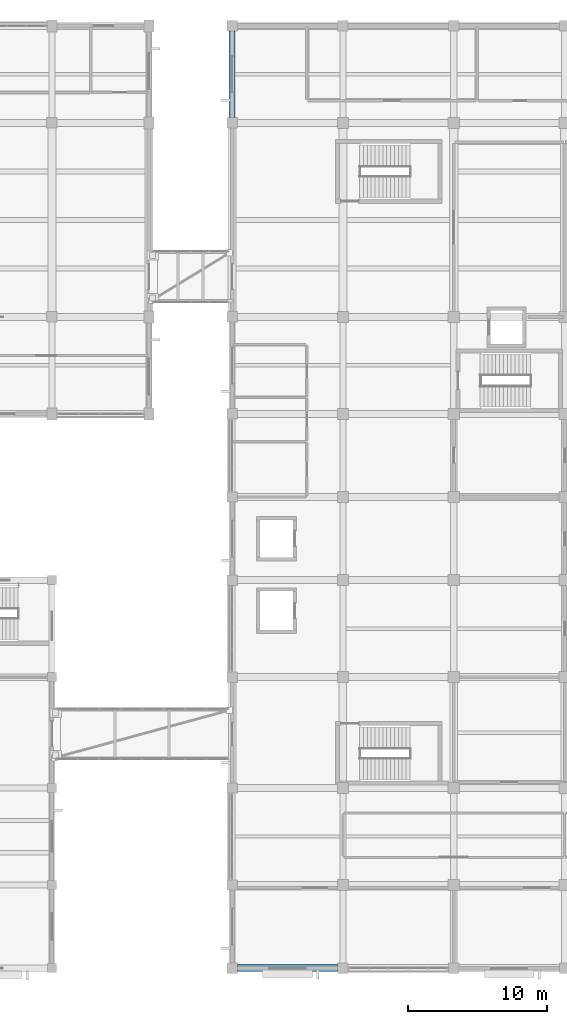
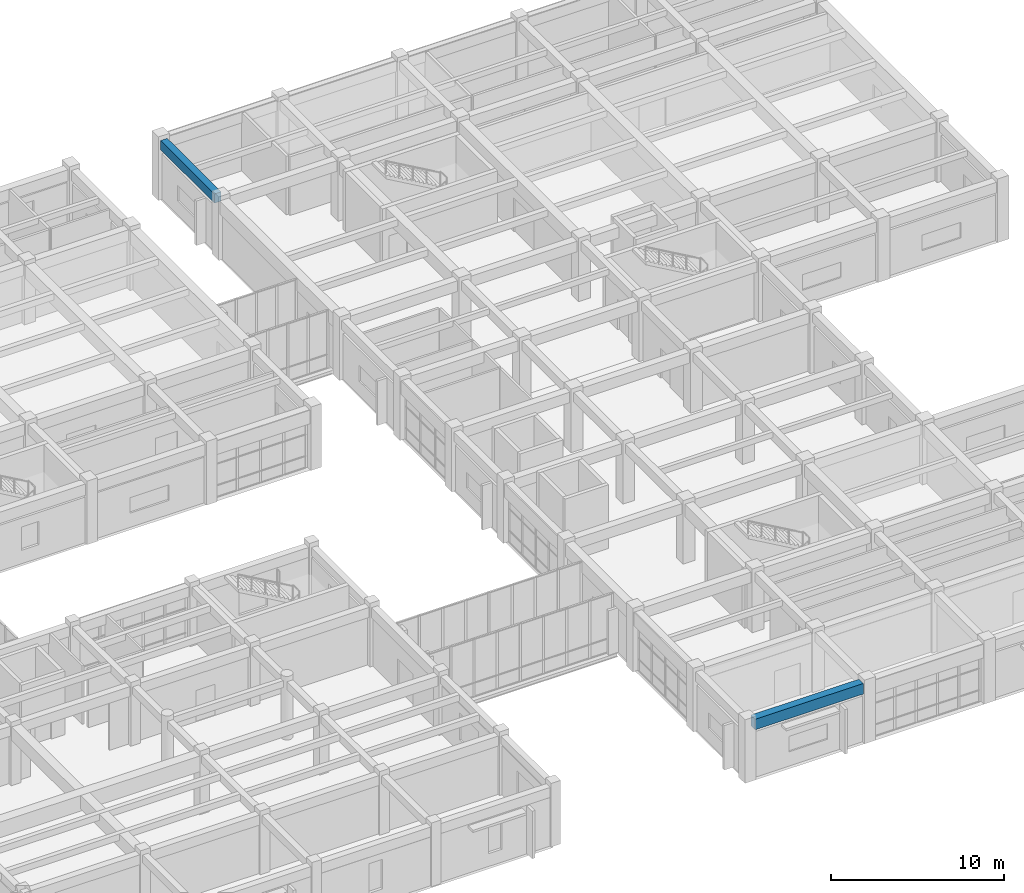
# One storey, part 32 of 70: 2 beams.
"""IFC4 building model written with IfcOpenShell, lengths in metres."""

from ifc_helpers import new_model, si_unit, direction, frame, origin, origin_2d, place, context, subcontext, project, spatial, rectangle, extrude, material, material_profile, profile_set, type_object, element, save


model = new_model("IFC4")

# Units and contexts
model_context = context("Model", 3, precision=1e-05, world=origin(), true_north=direction((0.0, 1.0)))
body_context = subcontext(model_context, "Body", "Model", "MODEL_VIEW")
ifc_project = project(units=[si_unit("LENGTHUNIT", "METRE"), si_unit("AREAUNIT", "SQUARE_METRE"), si_unit("VOLUMEUNIT", "CUBIC_METRE"), si_unit("PLANEANGLEUNIT", "RADIAN"), si_unit("MASSUNIT", "GRAM", prefix="KILO")], contexts=[model_context])

# Site, building, storey
site_placement = place(None, origin())
site = spatial("IfcSite", under=ifc_project, at=site_placement, CompositionType="ELEMENT")
building_placement = place(site_placement, origin())
building = spatial("IfcBuilding", under=site, at=building_placement, Name="Naurynzar Civic Courthouse", CompositionType="ELEMENT")
storey_placement = place(building_placement, frame((0.0, 0.0, 5.39990234375)))
storey = spatial("IfcBuildingStorey", under=building, at=storey_placement, Name="L02", CompositionType="ELEMENT", Elevation=5.39990234375)

# Beams
ifc_material_1 = material(Name="Concrete C40/50", Category="concrete")
ifc_material_profile_1 = material_profile(ifc_material_1, rectangle(XDim=0.449951171875, YDim=0.64990234375, at=origin_2d()), Name="RCB 450x650")
ifc_profile_set_1 = profile_set([ifc_material_profile_1], Name="Concrete C40/50")
beam_type_1 = type_object("IfcBeamType", Name="BM-RC-450x650", PredefinedType="BEAM", material=ifc_profile_set_1)
beam_1_placement = place(storey_placement, frame((130.0, 65.375, 3.875), z_axis=(0.0, 1.0, 0.0), x_axis=(-1.0, 0.0, 0.0)))
element("IfcBeam", 1, at=beam_1_placement, inside=storey, type_object=beam_type_1, Name="V5 girder Y-2305 L02", PredefinedType="BEAM", context=body_context, shape_type="SweptSolid", body=[
    extrude(rectangle(XDim=0.449951171875, YDim=0.64990234375, at=origin_2d()), origin(), (0.0, 0.0, 1.0), 6.25),
])
ifc_material_2 = material(Name="Concrete C40/50", Category="concrete")
ifc_material_profile_2 = material_profile(ifc_material_2, rectangle(XDim=0.5, YDim=0.75, at=origin_2d()), Name="RCB 500x750")
ifc_profile_set_2 = profile_set([ifc_material_profile_2], Name="Concrete C40/50")
beam_type_2 = type_object("IfcBeamType", Name="BM-RC-500x750", PredefinedType="BEAM", material=ifc_profile_set_2)
beam_2_placement = place(storey_placement, frame((130.375, 4.0, 3.8251953125), z_axis=(1.0, 0.0, 0.0), x_axis=(0.0, 1.0, 0.0)))
element("IfcBeam", 2, at=beam_2_placement, inside=storey, type_object=beam_type_2, Name="V5 beam X-2251 L02", PredefinedType="BEAM", context=body_context, shape_type="SweptSolid", body=[
    extrude(rectangle(XDim=0.5, YDim=0.75, at=origin_2d()), origin(), (0.0, 0.0, 1.0), 7.25),
])

save(model, "model.ifc")
